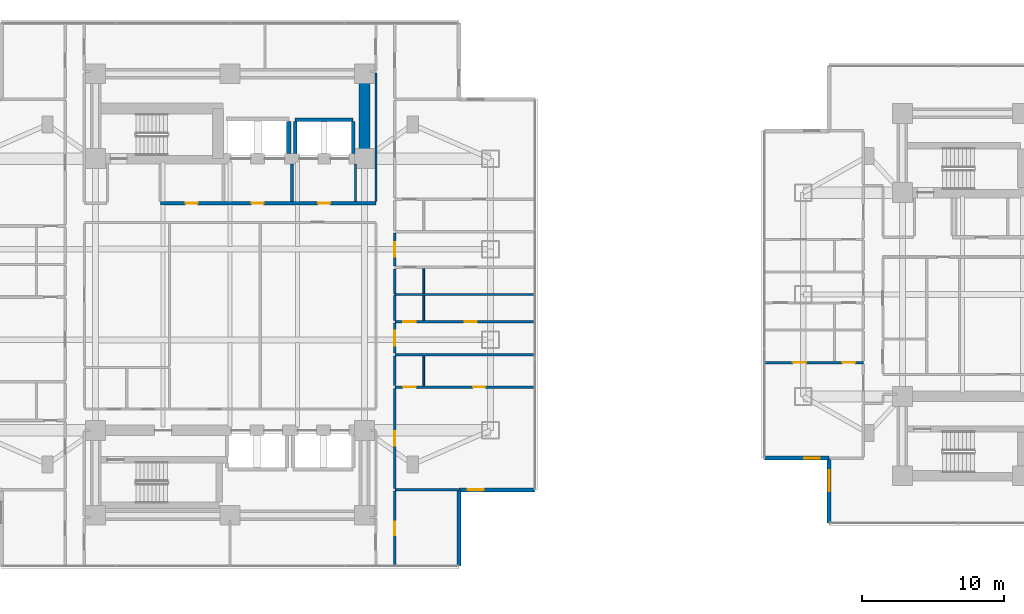
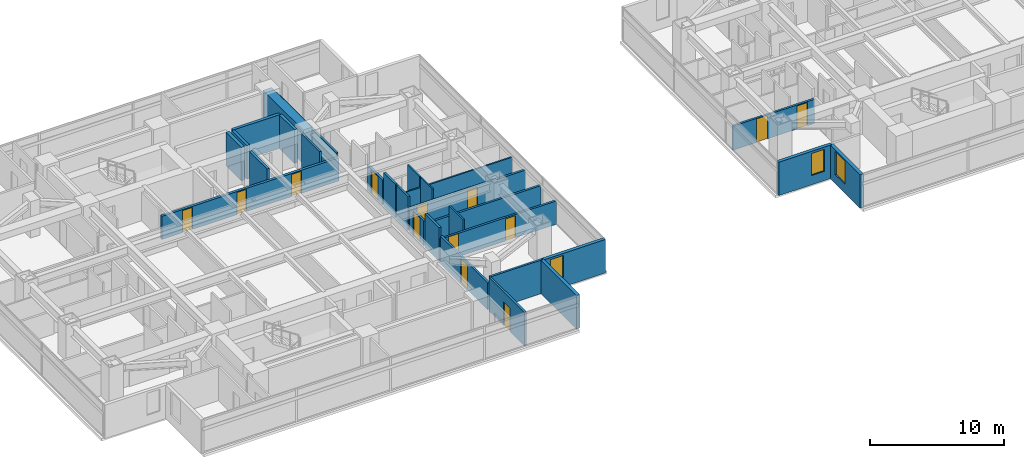
# One storey, part 14 of 23: 29 walls, 13 doors, 3 windows, 16 openings.
"""IFC4 building model written with IfcOpenShell, lengths in metres."""

from ifc_helpers import new_model, si_unit, direction, frame, frame_2d, origin, place, context, subcontext, project, spatial, rectangle, extrude, material, layer, layer_set, type_object, element, fill, save


model = new_model("IFC4")

# Units and contexts
model_context = context("Model", 3, precision=1e-05, world=origin(), true_north=direction((0.0, 1.0)))
body_context = subcontext(model_context, "Body", "Model", "MODEL_VIEW")
ifc_project = project(units=[si_unit("LENGTHUNIT", "METRE"), si_unit("AREAUNIT", "SQUARE_METRE"), si_unit("VOLUMEUNIT", "CUBIC_METRE"), si_unit("PLANEANGLEUNIT", "RADIAN"), si_unit("MASSUNIT", "GRAM", prefix="KILO")], contexts=[model_context])

# Site, building, storey
site_placement = place(None, origin())
site = spatial("IfcSite", under=ifc_project, at=site_placement, CompositionType="ELEMENT")
building_placement = place(site_placement, origin())
building = spatial("IfcBuilding", under=site, at=building_placement, Name="Mirazonda Arch Towers", CompositionType="ELEMENT")
storey_placement = place(building_placement, frame((0.0, 0.0, 29.0)))
storey = spatial("IfcBuildingStorey", under=building, at=storey_placement, Name="L07", CompositionType="ELEMENT", Elevation=29.0)

# Wall
ifc_material_1 = material(Name="Concrete C60/75", Category="concrete")
ifc_layer_1 = layer(ifc_material_1, 0.75, Name="WALL-CORE-750")
ifc_layer_set_1 = layer_set([ifc_layer_1], Name="Concrete C60/75")
wall_type_1 = type_object("IfcWallType", Name="WALL-CORE-750", PredefinedType="SHEAR", material=ifc_layer_set_1)
wall_1_placement = place(storey_placement, frame((30.0, 37.60009765625, 0.0), z_axis=(0.0, 0.0, 1.0), x_axis=(0.0, 1.0, 0.0)))
element("IfcWall", 1, at=wall_1_placement, inside=storey, type_object=wall_type_1, Name="L07 T1N-E Core Shear Wall", PredefinedType="SHEAR", context=body_context, shape_type="SweptSolid", body=[
    extrude(rectangle(XDim=6.0, YDim=0.75, at=frame_2d((3.0, 0.0))), origin(), (0.0, 0.0, 1.0), 3.06005859375),
])

# Wall, opening, window
ifc_material_2 = material(Name="Precast Concrete C40/50", Category="concrete")
ifc_layer_2 = layer(ifc_material_2, 0.280029296875, Name="WALL-EXT-WALL-280")
ifc_layer_set_2 = layer_set([ifc_layer_2], Name="Precast Concrete C40/50")
wall_type_2 = type_object("IfcWallType", Name="WALL-EXT-WALL-280", PredefinedType="SOLIDWALL", material=ifc_layer_set_2)
wall_2_placement = place(storey_placement, frame((36.659912109375, 14.2041015625, 0.0), z_axis=(0.0, 0.0, 1.0), x_axis=(1.0, 0.0, 0.0)))
wall_2 = element("IfcWall", 2, at=wall_2_placement, inside=storey, type_object=wall_type_2, Name="L07 T1 Corner Notch Return Wall WL-L07-T1-CSE1", PredefinedType="SOLIDWALL", context=body_context, shape_type="SweptSolid", body=[
    extrude(rectangle(XDim=5.380126953125, YDim=0.280029296875, at=frame_2d((2.68994140625, 0.0))), origin(), (0.0, 0.0, 1.0), 3.0400390625),
])
opening_1_placement = place(wall_2_placement, frame((0.64990234375, 0.0, 0.85009765625)))
opening_1 = element("IfcOpeningElement", 3, at=opening_1_placement, cuts=wall_2, Name="Opening WN-108", PredefinedType="OPENING", context=body_context, shape_type="SweptSolid", body=[
    extrude(rectangle(XDim=1.10009765625, YDim=2.0, at=frame_2d((0.550048828125, 1.0))), frame((0.0, 0.14990234375, 0.0), z_axis=(0.0, -1.0, 0.0), x_axis=(1.0, 0.0, 0.0)), (0.0, 0.0, 1.0), 0.300048828125),
])
ifc_material_3 = material(Name="Insulated Low-E Solar Glass", Category="glass")
window_type_1 = type_object("IfcWindowType", Name="WIN-NOTCH-1100x2000", PartitioningType="SINGLE_PANEL", PredefinedType="WINDOW", material=ifc_material_3)
window_1_placement = place(opening_1_placement, origin())
window_1 = element("IfcWindow", 4, at=window_1_placement, inside=storey, type_object=window_type_1, Name="L07 Punched Facade Window WN-L07-T1-CSE1", OverallHeight=2.0, OverallWidth=1.10009765625, PartitioningType="SINGLE_PANEL", PredefinedType="WINDOW", context=body_context, shape_type="SweptSolid", body=[
    extrude(rectangle(XDim=1.10009765625, YDim=2.0, at=frame_2d((0.550048828125, 1.0))), frame((0.0, 0.030029296875, 0.0), z_axis=(0.0, -1.0, 0.0), x_axis=(1.0, 0.0, 0.0)), (0.0, 0.0, 1.0), 0.06005859375),
])
fill(opening_1, window_1)

# Wall
wall_3_placement = place(storey_placement, frame((36.659912109375, 8.823974609375, 0.0), z_axis=(0.0, 0.0, 1.0), x_axis=(0.0, 1.0, 0.0)))
element("IfcWall", 5, at=wall_3_placement, inside=storey, type_object=wall_type_2, Name="L07 T1 Corner Notch Return Wall WL-L07-T1-CSE2", PredefinedType="SOLIDWALL", context=body_context, shape_type="SweptSolid", body=[
    extrude(rectangle(XDim=5.380126953125, YDim=0.280029296875, at=frame_2d((2.68994140625, 0.0))), origin(), (0.0, 0.0, 1.0), 3.0400390625),
])

# Wall, opening, window
wall_4_placement = place(storey_placement, frame((62.823974609375, 16.433349609375, 0.0), z_axis=(0.0, 0.0, 1.0), x_axis=(0.0, -1.0, 0.0)))
wall_4 = element("IfcWall", 6, at=wall_4_placement, inside=storey, type_object=wall_type_2, Name="L07 T2 Notched SW Corner Wall WL-L07-T2-CSW", PredefinedType="SOLIDWALL", context=body_context, shape_type="SweptSolid", body=[
    extrude(rectangle(XDim=4.579833984375, YDim=0.280029296875, at=frame_2d((2.2900390625, 0.0))), origin(), (0.0, 0.0, 1.0), 3.0400390625),
])
opening_2_placement = place(wall_4_placement, frame((0.85009765625, 0.0, 0.7900390625)))
opening_2 = element("IfcOpeningElement", 7, at=opening_2_placement, cuts=wall_4, Name="Opening WN-120", PredefinedType="OPENING", context=body_context, shape_type="SweptSolid", body=[
    extrude(rectangle(XDim=1.5, YDim=2.10009765625, at=frame_2d((0.75, 1.050048828125))), frame((0.0, 0.14990234375, 0.0), z_axis=(0.0, -1.0, 0.0), x_axis=(1.0, 0.0, 0.0)), (0.0, 0.0, 1.0), 0.300048828125),
])
window_type_2 = type_object("IfcWindowType", Name="WIN-HTL-1500x2100", PartitioningType="SINGLE_PANEL", PredefinedType="WINDOW", material=ifc_material_3)
window_2_placement = place(opening_2_placement, origin())
window_2 = element("IfcWindow", 8, at=window_2_placement, inside=storey, type_object=window_type_2, Name="L07 Punched Facade Window WN-L07-T2-CSW", OverallHeight=2.10009765625, OverallWidth=1.5, PartitioningType="SINGLE_PANEL", PredefinedType="WINDOW", context=body_context, shape_type="SweptSolid", body=[
    extrude(rectangle(XDim=1.5, YDim=2.10009765625, at=frame_2d((0.75, 1.050048828125))), frame((0.0, 0.030029296875, 0.0), z_axis=(0.0, -1.0, 0.0), x_axis=(1.0, 0.0, 0.0)), (0.0, 0.0, 1.0), 0.06005859375),
])
fill(opening_2, window_2)

wall_5_placement = place(storey_placement, frame((58.243896484375, 16.433349609375, 0.0), z_axis=(0.0, 0.0, 1.0), x_axis=(1.0, 0.0, 0.0)))
wall_5 = element("IfcWall", 9, at=wall_5_placement, inside=storey, type_object=wall_type_2, Name="L07 T2 Corner Notch Return Wall WL-L07-T2-CSW2", PredefinedType="SOLIDWALL", context=body_context, shape_type="SweptSolid", body=[
    extrude(rectangle(XDim=4.580078125, YDim=0.280029296875, at=frame_2d((2.2900390625, 0.0))), origin(), (0.0, 0.0, 1.0), 3.0400390625),
])
opening_3_placement = place(wall_5_placement, frame((2.830078125, 0.0, 0.85009765625)))
opening_3 = element("IfcOpeningElement", 10, at=opening_3_placement, cuts=wall_5, Name="Opening WN-108", PredefinedType="OPENING", context=body_context, shape_type="SweptSolid", body=[
    extrude(rectangle(XDim=1.10009765625, YDim=2.0, at=frame_2d((0.550048828125, 1.0))), frame((0.0, 0.14990234375, 0.0), z_axis=(0.0, -1.0, 0.0), x_axis=(1.0, 0.0, 0.0)), (0.0, 0.0, 1.0), 0.300048828125),
])
window_3_placement = place(opening_3_placement, origin())
window_3 = element("IfcWindow", 11, at=window_3_placement, inside=storey, type_object=window_type_1, Name="L07 Punched Facade Window WN-L07-T2-CSW2", OverallHeight=2.0, OverallWidth=1.10009765625, PartitioningType="SINGLE_PANEL", PredefinedType="WINDOW", context=body_context, shape_type="SweptSolid", body=[
    extrude(rectangle(XDim=1.10009765625, YDim=2.0, at=frame_2d((0.550048828125, 1.0))), frame((0.0, 0.030029296875, 0.0), z_axis=(0.0, -1.0, 0.0), x_axis=(1.0, 0.0, 0.0)), (0.0, 0.0, 1.0), 0.06005859375),
])
fill(opening_3, window_3)

# Wall, openings, doors
ifc_material_4 = material(Name="Concrete C40/50", Category="concrete")
ifc_layer_3 = layer(ifc_material_4, 0.219970703125, Name="WALL-FFL-220")
ifc_layer_set_3 = layer_set([ifc_layer_3], Name="Concrete C40/50")
wall_type_3 = type_object("IfcWallType", Name="WALL-FFL-220", PredefinedType="SOLIDWALL", material=ifc_layer_set_3)
wall_6_placement = place(storey_placement, frame((15.590087890625, 34.449951171875, 0.0), z_axis=(0.0, 0.0, 1.0), x_axis=(1.0, 0.0, 0.0)))
wall_6 = element("IfcWall", 12, at=wall_6_placement, inside=storey, type_object=wall_type_3, Name="L07 Interior Partition 047", PredefinedType="SOLIDWALL", context=body_context, shape_type="SweptSolid", body=[
    extrude(rectangle(XDim=15.2099609375, YDim=0.219970703125, at=frame_2d((7.60498046875, 0.0))), origin(), (0.0, 0.0, 1.0), 2.10400390625),
])
opening_4_placement = place(wall_6_placement, frame((6.43505859375, 0.0, 0.0)))
opening_4 = element("IfcOpeningElement", 13, at=opening_4_placement, cuts=wall_6, Name="Opening DR-128", PredefinedType="OPENING", context=body_context, shape_type="SweptSolid", body=[
    extrude(rectangle(XDim=0.85009765625, YDim=2.010009765625, at=frame_2d((0.425048828125, 1.0048828125))), frame((0.0, 0.119873046875, 0.0), z_axis=(0.0, -1.0, 0.0), x_axis=(1.0, 0.0, 0.0)), (0.0, 0.0, 1.0), 0.239990234375),
])
opening_5_placement = place(wall_6_placement, frame((11.135009765625, 0.0, 0.0)))
opening_5 = element("IfcOpeningElement", 14, at=opening_5_placement, cuts=wall_6, Name="Opening DR-128", PredefinedType="OPENING", context=body_context, shape_type="SweptSolid", body=[
    extrude(rectangle(XDim=0.85009765625, YDim=2.010009765625, at=frame_2d((0.425048828125, 1.0048828125))), frame((0.0, 0.119873046875, 0.0), z_axis=(0.0, -1.0, 0.0), x_axis=(1.0, 0.0, 0.0)), (0.0, 0.0, 1.0), 0.239990234375),
])
opening_6_placement = place(wall_6_placement, frame((1.77490234375, 0.0, 0.0)))
opening_6 = element("IfcOpeningElement", 15, at=opening_6_placement, cuts=wall_6, Name="Opening DR-128", PredefinedType="OPENING", context=body_context, shape_type="SweptSolid", body=[
    extrude(rectangle(XDim=0.85009765625, YDim=2.010009765625, at=frame_2d((0.425048828125, 1.0048828125))), frame((0.0, 0.119873046875, 0.0), z_axis=(0.0, -1.0, 0.0), x_axis=(1.0, 0.0, 0.0)), (0.0, 0.0, 1.0), 0.239990234375),
])
ifc_material_5 = material(Name="Architectural Brushed Steel S355", Category="steel")
door_type_1 = type_object("IfcDoorType", Name="DOOR-RISER-FD60-850", OperationType="NOTDEFINED", PredefinedType="DOOR", material=ifc_material_5)
door_1_placement = place(opening_4_placement, origin())
door_1 = element("IfcDoor", 16, at=door_1_placement, inside=storey, type_object=door_type_1, Name="L07 Firefighting Lift Lobby Door", OperationType="SINGLE_SWING_LEFT", OverallHeight=2.010009765625, OverallWidth=0.85009765625, PredefinedType="DOOR", context=body_context, shape_type="SweptSolid", body=[
    extrude(rectangle(XDim=0.85009765625, YDim=2.010009765625, at=frame_2d((0.425048828125, 1.0048828125))), frame((0.0, 0.02490234375, 0.0), z_axis=(0.0, -1.0, 0.0), x_axis=(1.0, 0.0, 0.0)), (0.0, 0.0, 1.0), 0.050048828125),
])
fill(opening_4, door_1)
door_2_placement = place(opening_5_placement, origin())
door_2 = element("IfcDoor", 17, at=door_2_placement, inside=storey, type_object=door_type_1, Name="L07 Passenger Lift Lobby North Door", OperationType="SINGLE_SWING_RIGHT", OverallHeight=2.010009765625, OverallWidth=0.85009765625, PredefinedType="DOOR", context=body_context, shape_type="SweptSolid", body=[
    extrude(rectangle(XDim=0.85009765625, YDim=2.010009765625, at=frame_2d((0.425048828125, 1.0048828125))), frame((0.0, 0.02490234375, 0.0), z_axis=(0.0, -1.0, 0.0), x_axis=(1.0, 0.0, 0.0)), (0.0, 0.0, 1.0), 0.050048828125),
])
fill(opening_5, door_2)
door_3_placement = place(opening_6_placement, origin())
door_3 = element("IfcDoor", 18, at=door_3_placement, inside=storey, type_object=door_type_1, Name="L07 Housekeeping Linen Room Door", OperationType="SINGLE_SWING_LEFT", OverallHeight=2.010009765625, OverallWidth=0.85009765625, PredefinedType="DOOR", context=body_context, shape_type="SweptSolid", body=[
    extrude(rectangle(XDim=0.85009765625, YDim=2.010009765625, at=frame_2d((0.425048828125, 1.0048828125))), frame((0.0, 0.02490234375, 0.0), z_axis=(0.0, -1.0, 0.0), x_axis=(1.0, 0.0, 0.0)), (0.0, 0.0, 1.0), 0.050048828125),
])
fill(opening_6, door_3)

# Walls
wall_7_placement = place(storey_placement, frame((24.875, 34.570068359375, 0.0), z_axis=(0.0, 0.0, 1.0), x_axis=(0.0, 1.0, 0.0)))
element("IfcWall", 19, at=wall_7_placement, inside=storey, type_object=wall_type_3, Name="L07 Interior Partition 095", PredefinedType="SOLIDWALL", context=body_context, shape_type="SweptSolid", body=[
    extrude(rectangle(XDim=2.659912109375, YDim=0.219970703125, at=frame_2d((1.330078125, 0.0))), origin(), (0.0, 0.0, 1.0), 3.06005859375),
])
ifc_material_6 = material(Name="Fire-Rated Gypsum Stud Partition")
ifc_layer_4 = layer(ifc_material_6, 0.14990234375, Name="WALL-PART-CORR-150")
ifc_layer_set_4 = layer_set([ifc_layer_4], Name="Fire-Rated Gypsum Stud Partition")
wall_type_4 = type_object("IfcWallType", Name="WALL-PART-CORR-150", PredefinedType="PARTITIONING", material=ifc_layer_set_4)
wall_8_placement = place(storey_placement, frame((29.35009765625, 34.570068359375, 0.0), z_axis=(0.0, 0.0, 1.0), x_axis=(0.0, 1.0, 0.0)))
element("IfcWall", 20, at=wall_8_placement, inside=storey, type_object=wall_type_4, Name="L07 Interior Partition 098", PredefinedType="PARTITIONING", context=body_context, shape_type="SweptSolid", body=[
    extrude(rectangle(XDim=2.659912109375, YDim=0.14990234375, at=frame_2d((1.330078125, 0.0))), origin(), (0.0, 0.0, 1.0), 3.06005859375),
])
wall_9_placement = place(storey_placement, frame((30.800048828125, 34.570068359375, 0.0), z_axis=(0.0, 0.0, 1.0), x_axis=(0.0, 1.0, 0.0)))
element("IfcWall", 21, at=wall_9_placement, inside=storey, type_object=wall_type_4, Name="L07 Interior Partition 103", PredefinedType="PARTITIONING", context=body_context, shape_type="SweptSolid", body=[
    extrude(rectangle(XDim=9.094970703125, YDim=0.14990234375, at=frame_2d((4.54736328125, 0.0))), origin(), (0.0, 0.0, 1.0), 2.43603515625),
])
ifc_material_7 = material(Name="Fire-Rated Gypsum Twin-Stud Assembly")
ifc_layer_5 = layer(ifc_material_7, 0.179931640625, Name="WALL-PART-DEMISE-180")
ifc_layer_set_5 = layer_set([ifc_layer_5], Name="Fire-Rated Gypsum Twin-Stud Assembly")
wall_type_5 = type_object("IfcWallType", Name="WALL-PART-DEMISE-180", PredefinedType="PARTITIONING", material=ifc_layer_set_5)
wall_10_placement = place(storey_placement, frame((32.139892578125, 14.2041015625, 0.0), z_axis=(0.0, 0.0, 1.0), x_axis=(1.0, 0.0, 0.0)))
element("IfcWall", 22, at=wall_10_placement, inside=storey, type_object=wall_type_5, Name="L07 Interior Partition 005", PredefinedType="PARTITIONING", context=body_context, shape_type="SweptSolid", body=[
    extrude(rectangle(XDim=4.5, YDim=0.179931640625, at=frame_2d((2.25, 0.0))), origin(), (0.0, 0.0, 1.0), 3.06005859375),
])

# Wall, openings, doors
wall_11_placement = place(storey_placement, frame((32.139892578125, 21.4560546875, 0.0), z_axis=(0.0, 0.0, 1.0), x_axis=(1.0, 0.0, 0.0)))
wall_11 = element("IfcWall", 23, at=wall_11_placement, inside=storey, type_object=wall_type_5, Name="L07 Interior Partition 021", PredefinedType="PARTITIONING", context=body_context, shape_type="SweptSolid", body=[
    extrude(rectangle(XDim=9.900146484375, YDim=0.179931640625, at=frame_2d((4.9501953125, 0.0))), origin(), (0.0, 0.0, 1.0), 2.125),
])
opening_7_placement = place(wall_11_placement, frame((5.52490234375, 0.0, 0.0)))
opening_7 = element("IfcOpeningElement", 24, at=opening_7_placement, cuts=wall_11, Name="Opening DR-128", PredefinedType="OPENING", context=body_context, shape_type="SweptSolid", body=[
    extrude(rectangle(XDim=0.85009765625, YDim=2.010009765625, at=frame_2d((0.425048828125, 1.0048828125))), frame((0.0, 0.099853515625, 0.0), z_axis=(0.0, -1.0, 0.0), x_axis=(1.0, 0.0, 0.0)), (0.0, 0.0, 1.0), 0.199951171875),
])
opening_8_placement = place(wall_11_placement, frame((0.590087890625, 0.0, 0.0)))
opening_8 = element("IfcOpeningElement", 25, at=opening_8_placement, cuts=wall_11, Name="Opening DR-120", PredefinedType="OPENING", context=body_context, shape_type="SweptSolid", body=[
    extrude(rectangle(XDim=0.89990234375, YDim=2.10009765625, at=frame_2d((0.449951171875, 1.050048828125))), frame((0.0, 0.099853515625, 0.0), z_axis=(0.0, -1.0, 0.0), x_axis=(1.0, 0.0, 0.0)), (0.0, 0.0, 1.0), 0.199951171875),
])
door_4_placement = place(opening_7_placement, origin())
door_4 = element("IfcDoor", 26, at=door_4_placement, inside=storey, type_object=door_type_1, Name="L07 Suite Bedroom 1 Door", OperationType="SINGLE_SWING_LEFT", OverallHeight=2.010009765625, OverallWidth=0.85009765625, PredefinedType="DOOR", context=body_context, shape_type="SweptSolid", body=[
    extrude(rectangle(XDim=0.85009765625, YDim=2.010009765625, at=frame_2d((0.425048828125, 1.0048828125))), frame((0.0, 0.02490234375, 0.0), z_axis=(0.0, -1.0, 0.0), x_axis=(1.0, 0.0, 0.0)), (0.0, 0.0, 1.0), 0.050048828125),
])
fill(opening_7, door_4)
door_type_2 = type_object("IfcDoorType", Name="DOOR-WC-900", OperationType="NOTDEFINED", PredefinedType="DOOR", material=ifc_material_5)
door_5_placement = place(opening_8_placement, origin())
door_5 = element("IfcDoor", 27, at=door_5_placement, inside=storey, type_object=door_type_2, Name="L07 Suite En-Suite Bathroom 1 Door", OperationType="SINGLE_SWING_RIGHT", OverallHeight=2.10009765625, OverallWidth=0.89990234375, PredefinedType="DOOR", context=body_context, shape_type="SweptSolid", body=[
    extrude(rectangle(XDim=0.89990234375, YDim=2.10009765625, at=frame_2d((0.449951171875, 1.050048828125))), frame((0.0, 0.02490234375, 0.0), z_axis=(0.0, -1.0, 0.0), x_axis=(1.0, 0.0, 0.0)), (0.0, 0.0, 1.0), 0.050048828125),
])
fill(opening_8, door_5)

wall_12_placement = place(storey_placement, frame((58.243896484375, 23.19189453125, 0.0), z_axis=(0.0, 0.0, 1.0), x_axis=(1.0, 0.0, 0.0)))
wall_12 = element("IfcWall", 28, at=wall_12_placement, inside=storey, type_object=wall_type_5, Name="L07 Interior Partition 025", PredefinedType="PARTITIONING", context=body_context, shape_type="SweptSolid", body=[
    extrude(rectangle(XDim=7.006103515625, YDim=0.179931640625, at=frame_2d((3.5029296875, 0.0))), origin(), (0.0, 0.0, 1.0), 2.196044921875),
])
opening_9_placement = place(wall_12_placement, frame((2.028076171875, 0.0, 0.0)))
opening_9 = element("IfcOpeningElement", 29, at=opening_9_placement, cuts=wall_12, Name="Opening DR-104", PredefinedType="OPENING", context=body_context, shape_type="SweptSolid", body=[
    extrude(rectangle(XDim=0.949951171875, YDim=2.14990234375, at=frame_2d((0.47509765625, 1.074951171875))), frame((0.0, 0.099853515625, 0.0), z_axis=(0.0, -1.0, 0.0), x_axis=(1.0, 0.0, 0.0)), (0.0, 0.0, 1.0), 0.199951171875),
])
opening_10_placement = place(wall_12_placement, frame((5.51611328125, 0.0, 0.0)))
opening_10 = element("IfcOpeningElement", 30, at=opening_10_placement, cuts=wall_12, Name="Opening DR-120", PredefinedType="OPENING", context=body_context, shape_type="SweptSolid", body=[
    extrude(rectangle(XDim=0.89990234375, YDim=2.10009765625, at=frame_2d((0.449951171875, 1.050048828125))), frame((0.0, 0.099853515625, 0.0), z_axis=(0.0, -1.0, 0.0), x_axis=(1.0, 0.0, 0.0)), (0.0, 0.0, 1.0), 0.199951171875),
])
door_type_3 = type_object("IfcDoorType", Name="DOOR-ROOM-950", OperationType="NOTDEFINED", PredefinedType="DOOR", material=ifc_material_5)
door_6_placement = place(opening_9_placement, origin())
door_6 = element("IfcDoor", 31, at=door_6_placement, inside=storey, type_object=door_type_3, Name="L07 Guestroom Study 1 Door", OperationType="SINGLE_SWING_LEFT", OverallHeight=2.14990234375, OverallWidth=0.949951171875, PredefinedType="DOOR", context=body_context, shape_type="SweptSolid", body=[
    extrude(rectangle(XDim=0.949951171875, YDim=2.14990234375, at=frame_2d((0.47509765625, 1.074951171875))), frame((0.0, 0.02490234375, 0.0), z_axis=(0.0, -1.0, 0.0), x_axis=(1.0, 0.0, 0.0)), (0.0, 0.0, 1.0), 0.050048828125),
])
fill(opening_9, door_6)
door_7_placement = place(opening_10_placement, origin())
door_7 = element("IfcDoor", 32, at=door_7_placement, inside=storey, type_object=door_type_2, Name="L07 En-Suite Bathroom 1 Door", OperationType="SINGLE_SWING_RIGHT", OverallHeight=2.10009765625, OverallWidth=0.89990234375, PredefinedType="DOOR", context=body_context, shape_type="SweptSolid", body=[
    extrude(rectangle(XDim=0.89990234375, YDim=2.10009765625, at=frame_2d((0.449951171875, 1.050048828125))), frame((0.0, 0.02490234375, 0.0), z_axis=(0.0, -1.0, 0.0), x_axis=(1.0, 0.0, 0.0)), (0.0, 0.0, 1.0), 0.050048828125),
])
fill(opening_10, door_7)

# Wall
wall_13_placement = place(storey_placement, frame((32.139892578125, 23.756103515625, 0.0), z_axis=(0.0, 0.0, 1.0), x_axis=(1.0, 0.0, 0.0)))
element("IfcWall", 33, at=wall_13_placement, inside=storey, type_object=wall_type_5, Name="L07 Interior Partition 026", PredefinedType="PARTITIONING", context=body_context, shape_type="SweptSolid", body=[
    extrude(rectangle(XDim=9.900146484375, YDim=0.179931640625, at=frame_2d((4.9501953125, 0.0))), origin(), (0.0, 0.0, 1.0), 2.125),
])

# Wall, openings, doors
wall_14_placement = place(storey_placement, frame((32.139892578125, 26.080078125, 0.0), z_axis=(0.0, 0.0, 1.0), x_axis=(1.0, 0.0, 0.0)))
wall_14 = element("IfcWall", 34, at=wall_14_placement, inside=storey, type_object=wall_type_5, Name="L07 Interior Partition 030", PredefinedType="PARTITIONING", context=body_context, shape_type="SweptSolid", body=[
    extrude(rectangle(XDim=9.900146484375, YDim=0.179931640625, at=frame_2d((4.9501953125, 0.0))), origin(), (0.0, 0.0, 1.0), 2.125),
])
opening_11_placement = place(wall_14_placement, frame((4.925048828125, 0.0, 0.0)))
opening_11 = element("IfcOpeningElement", 35, at=opening_11_placement, cuts=wall_14, Name="Opening DR-128", PredefinedType="OPENING", context=body_context, shape_type="SweptSolid", body=[
    extrude(rectangle(XDim=0.85009765625, YDim=2.010009765625, at=frame_2d((0.425048828125, 1.0048828125))), frame((0.0, 0.099853515625, 0.0), z_axis=(0.0, -1.0, 0.0), x_axis=(1.0, 0.0, 0.0)), (0.0, 0.0, 1.0), 0.199951171875),
])
opening_12_placement = place(wall_14_placement, frame((0.590087890625, 0.0, 0.0)))
opening_12 = element("IfcOpeningElement", 36, at=opening_12_placement, cuts=wall_14, Name="Opening DR-120", PredefinedType="OPENING", context=body_context, shape_type="SweptSolid", body=[
    extrude(rectangle(XDim=0.89990234375, YDim=2.10009765625, at=frame_2d((0.449951171875, 1.050048828125))), frame((0.0, 0.099853515625, 0.0), z_axis=(0.0, -1.0, 0.0), x_axis=(1.0, 0.0, 0.0)), (0.0, 0.0, 1.0), 0.199951171875),
])
door_8_placement = place(opening_11_placement, origin())
door_8 = element("IfcDoor", 37, at=door_8_placement, inside=storey, type_object=door_type_1, Name="L07 Guestroom Study 2 Door", OperationType="SINGLE_SWING_RIGHT", OverallHeight=2.010009765625, OverallWidth=0.85009765625, PredefinedType="DOOR", context=body_context, shape_type="SweptSolid", body=[
    extrude(rectangle(XDim=0.85009765625, YDim=2.010009765625, at=frame_2d((0.425048828125, 1.0048828125))), frame((0.0, 0.02490234375, 0.0), z_axis=(0.0, -1.0, 0.0), x_axis=(1.0, 0.0, 0.0)), (0.0, 0.0, 1.0), 0.050048828125),
])
fill(opening_11, door_8)
door_9_placement = place(opening_12_placement, origin())
door_9 = element("IfcDoor", 38, at=door_9_placement, inside=storey, type_object=door_type_2, Name="L07 En-Suite Bathroom 2 Door", OperationType="SINGLE_SWING_LEFT", OverallHeight=2.10009765625, OverallWidth=0.89990234375, PredefinedType="DOOR", context=body_context, shape_type="SweptSolid", body=[
    extrude(rectangle(XDim=0.89990234375, YDim=2.10009765625, at=frame_2d((0.449951171875, 1.050048828125))), frame((0.0, 0.02490234375, 0.0), z_axis=(0.0, -1.0, 0.0), x_axis=(1.0, 0.0, 0.0)), (0.0, 0.0, 1.0), 0.050048828125),
])
fill(opening_12, door_9)

# Wall, opening, door
wall_15_placement = place(storey_placement, frame((32.139892578125, 8.823974609375, 0.0), z_axis=(0.0, 0.0, 1.0), x_axis=(0.0, 1.0, 0.0)))
wall_15 = element("IfcWall", 39, at=wall_15_placement, inside=storey, type_object=wall_type_5, Name="L07 Interior Partition 105", PredefinedType="PARTITIONING", context=body_context, shape_type="SweptSolid", body=[
    extrude(rectangle(XDim=5.280029296875, YDim=0.179931640625, at=frame_2d((2.64013671875, 0.0))), origin(), (0.0, 0.0, 1.0), 3.06005859375),
])
opening_13_placement = place(wall_15_placement, frame((2.1650390625, 0.0, 0.0)))
opening_13 = element("IfcOpeningElement", 40, at=opening_13_placement, cuts=wall_15, Name="Opening DR-104", PredefinedType="OPENING", context=body_context, shape_type="SweptSolid", body=[
    extrude(rectangle(XDim=0.949951171875, YDim=2.14990234375, at=frame_2d((0.47509765625, 1.074951171875))), frame((0.0, 0.099853515625, 0.0), z_axis=(0.0, -1.0, 0.0), x_axis=(1.0, 0.0, 0.0)), (0.0, 0.0, 1.0), 0.199951171875),
])
door_10_placement = place(opening_13_placement, origin())
door_10 = element("IfcDoor", 41, at=door_10_placement, inside=storey, type_object=door_type_3, Name="L07 South Horizon Lounge Alcove East Door", OperationType="SINGLE_SWING_LEFT", OverallHeight=2.14990234375, OverallWidth=0.949951171875, PredefinedType="DOOR", context=body_context, shape_type="SweptSolid", body=[
    extrude(rectangle(XDim=0.949951171875, YDim=2.14990234375, at=frame_2d((0.47509765625, 1.074951171875))), frame((0.0, 0.02490234375, 0.0), z_axis=(0.0, -1.0, 0.0), x_axis=(1.0, 0.0, 0.0)), (0.0, 0.0, 1.0), 0.050048828125),
])
fill(opening_13, door_10)

wall_16_placement = place(storey_placement, frame((32.139892578125, 14.303955078125, 0.0), z_axis=(0.0, 0.0, 1.0), x_axis=(0.0, 1.0, 0.0)))
wall_16 = element("IfcWall", 42, at=wall_16_placement, inside=storey, type_object=wall_type_5, Name="L07 Interior Partition 106", PredefinedType="PARTITIONING", context=body_context, shape_type="SweptSolid", body=[
    extrude(rectangle(XDim=7.052001953125, YDim=0.179931640625, at=frame_2d((3.52587890625, 0.0))), origin(), (0.0, 0.0, 1.0), 2.43603515625),
])
opening_14_placement = place(wall_16_placement, frame((3.0009765625, 0.0, 0.0)))
opening_14 = element("IfcOpeningElement", 43, at=opening_14_placement, cuts=wall_16, Name="Opening DR-121", PredefinedType="OPENING", context=body_context, shape_type="SweptSolid", body=[
    extrude(rectangle(XDim=1.050048828125, YDim=2.199951171875, at=frame_2d((0.52490234375, 1.10009765625))), frame((0.0, 0.099853515625, 0.0), z_axis=(0.0, -1.0, 0.0), x_axis=(1.0, 0.0, 0.0)), (0.0, 0.0, 1.0), 0.199951171875),
])
door_type_4 = type_object("IfcDoorType", Name="DOOR-SUITE-FD60-1050", OperationType="NOTDEFINED", PredefinedType="DOOR", material=ifc_material_5)
door_11_placement = place(opening_14_placement, origin())
door_11 = element("IfcDoor", 44, at=door_11_placement, inside=storey, type_object=door_type_4, Name="L07 Panoramic Suite Salon 1 Door", OperationType="SINGLE_SWING_RIGHT", OverallHeight=2.199951171875, OverallWidth=1.050048828125, PredefinedType="DOOR", context=body_context, shape_type="SweptSolid", body=[
    extrude(rectangle(XDim=1.050048828125, YDim=2.199951171875, at=frame_2d((0.52490234375, 1.10009765625))), frame((0.0, 0.02490234375, 0.0), z_axis=(0.0, -1.0, 0.0), x_axis=(1.0, 0.0, 0.0)), (0.0, 0.0, 1.0), 0.050048828125),
])
fill(opening_14, door_11)

# Wall
wall_17_placement = place(storey_placement, frame((32.139892578125, 21.555908203125, 0.0), z_axis=(0.0, 0.0, 1.0), x_axis=(0.0, 1.0, 0.0)))
element("IfcWall", 45, at=wall_17_placement, inside=storey, type_object=wall_type_5, Name="L07 Interior Partition 107", PredefinedType="PARTITIONING", context=body_context, shape_type="SweptSolid", body=[
    extrude(rectangle(XDim=2.10009765625, YDim=0.179931640625, at=frame_2d((1.050048828125, 0.0))), origin(), (0.0, 0.0, 1.0), 3.06005859375),
])

# Wall, opening, door
wall_18_placement = place(storey_placement, frame((32.139892578125, 23.85595703125, 0.0), z_axis=(0.0, 0.0, 1.0), x_axis=(0.0, 1.0, 0.0)))
wall_18 = element("IfcWall", 46, at=wall_18_placement, inside=storey, type_object=wall_type_5, Name="L07 Interior Partition 108", PredefinedType="PARTITIONING", context=body_context, shape_type="SweptSolid", body=[
    extrude(rectangle(XDim=2.1240234375, YDim=0.179931640625, at=frame_2d((1.06201171875, 0.0))), origin(), (0.0, 0.0, 1.0), 2.279052734375),
])
opening_15_placement = place(wall_18_placement, frame((0.537109375, 0.0, 0.0)))
opening_15 = element("IfcOpeningElement", 47, at=opening_15_placement, cuts=wall_18, Name="Opening DR-121", PredefinedType="OPENING", context=body_context, shape_type="SweptSolid", body=[
    extrude(rectangle(XDim=1.050048828125, YDim=2.199951171875, at=frame_2d((0.52490234375, 1.10009765625))), frame((0.0, 0.099853515625, 0.0), z_axis=(0.0, -1.0, 0.0), x_axis=(1.0, 0.0, 0.0)), (0.0, 0.0, 1.0), 0.199951171875),
])
door_12_placement = place(opening_15_placement, origin())
door_12 = element("IfcDoor", 48, at=door_12_placement, inside=storey, type_object=door_type_4, Name="L07 Twin Hotel Guestroom 2 Door", OperationType="SINGLE_SWING_LEFT", OverallHeight=2.199951171875, OverallWidth=1.050048828125, PredefinedType="DOOR", context=body_context, shape_type="SweptSolid", body=[
    extrude(rectangle(XDim=1.050048828125, YDim=2.199951171875, at=frame_2d((0.52490234375, 1.10009765625))), frame((0.0, 0.02490234375, 0.0), z_axis=(0.0, -1.0, 0.0), x_axis=(1.0, 0.0, 0.0)), (0.0, 0.0, 1.0), 0.050048828125),
])
fill(opening_15, door_12)

# Walls
for number, where, z_axis, x_axis, name in (
    (49, (32.139892578125, 26.179931640625, 0.0), (0.0, 0.0, 1.0), (0.0, 1.0, 0.0), "L07 Interior Partition 109"),
    (50, (32.139892578125, 28.072509765625, 0.0), (0.0, 0.0, 1.0), (0.0, 1.0, 0.0), "L07 Interior Partition 110"),
):
    element("IfcWall", number, at=place(storey_placement, frame(where, z_axis=z_axis, x_axis=x_axis)), inside=storey, type_object=wall_type_5, Name=name, PredefinedType="PARTITIONING", context=body_context, shape_type="SweptSolid", body=[
        extrude(rectangle(XDim=1.74755859375, YDim=0.179931640625, at=frame_2d((0.873779296875, 0.0))), origin(), (0.0, 0.0, 1.0), 3.06005859375),
    ])

# Wall, opening, door
wall_19_placement = place(storey_placement, frame((32.139892578125, 30.02001953125, 0.0), z_axis=(0.0, 0.0, 1.0), x_axis=(0.0, 1.0, 0.0)))
wall_19 = element("IfcWall", 51, at=wall_19_placement, inside=storey, type_object=wall_type_5, Name="L07 Interior Partition 111", PredefinedType="PARTITIONING", context=body_context, shape_type="SweptSolid", body=[
    extrude(rectangle(XDim=2.31689453125, YDim=0.179931640625, at=frame_2d((1.158447265625, 0.0))), origin(), (0.0, 0.0, 1.0), 2.279052734375),
])
opening_16_placement = place(wall_19_placement, frame((0.633544921875, 0.0, 0.0)))
opening_16 = element("IfcOpeningElement", 52, at=opening_16_placement, cuts=wall_19, Name="Opening DR-121", PredefinedType="OPENING", context=body_context, shape_type="SweptSolid", body=[
    extrude(rectangle(XDim=1.050048828125, YDim=2.199951171875, at=frame_2d((0.52490234375, 1.10009765625))), frame((0.0, 0.099853515625, 0.0), z_axis=(0.0, -1.0, 0.0), x_axis=(1.0, 0.0, 0.0)), (0.0, 0.0, 1.0), 0.199951171875),
])
door_13_placement = place(opening_16_placement, origin())
door_13 = element("IfcDoor", 53, at=door_13_placement, inside=storey, type_object=door_type_4, Name="L07 King Hotel Guestroom 3 Door", OperationType="SINGLE_SWING_RIGHT", OverallHeight=2.199951171875, OverallWidth=1.050048828125, PredefinedType="DOOR", context=body_context, shape_type="SweptSolid", body=[
    extrude(rectangle(XDim=1.050048828125, YDim=2.199951171875, at=frame_2d((0.52490234375, 1.10009765625))), frame((0.0, 0.02490234375, 0.0), z_axis=(0.0, -1.0, 0.0), x_axis=(1.0, 0.0, 0.0)), (0.0, 0.0, 1.0), 0.050048828125),
])
fill(opening_16, door_13)

# Walls
ifc_material_8 = material(Name="Acoustic Fire-Rated Gypsum Partition")
ifc_layer_6 = layer(ifc_material_8, 0.125, Name="WALL-PART-UNIT-125")
ifc_layer_set_6 = layer_set([ifc_layer_6], Name="Acoustic Fire-Rated Gypsum Partition")
wall_type_6 = type_object("IfcWallType", Name="WALL-PART-UNIT-125", PredefinedType="PARTITIONING", material=ifc_layer_set_6)
wall_20_placement = place(storey_placement, frame((32.139892578125, 28.0, 0.0), z_axis=(0.0, 0.0, 1.0), x_axis=(1.0, 0.0, 0.0)))
element("IfcWall", 54, at=wall_20_placement, inside=storey, type_object=wall_type_6, Name="L07 Interior Partition 034", PredefinedType="PARTITIONING", context=body_context, shape_type="SweptSolid", body=[
    extrude(rectangle(XDim=9.900146484375, YDim=0.125, at=frame_2d((4.9501953125, 0.0))), origin(), (0.0, 0.0, 1.0), 2.125),
])
wall_21_placement = place(storey_placement, frame((34.179931640625, 21.555908203125, 0.0), z_axis=(0.0, 0.0, 1.0), x_axis=(0.0, 1.0, 0.0)))
element("IfcWall", 55, at=wall_21_placement, inside=storey, type_object=wall_type_6, Name="L07 Interior Partition 115", PredefinedType="PARTITIONING", context=body_context, shape_type="SweptSolid", body=[
    extrude(rectangle(XDim=2.10009765625, YDim=0.125, at=frame_2d((1.050048828125, 0.0))), origin(), (0.0, 0.0, 1.0), 3.06005859375),
])
for number, where, z_axis, x_axis, name in (
    (56, (34.179931640625, 26.179931640625, 0.0), (0.0, 0.0, 1.0), (0.0, 1.0, 0.0), "L07 Interior Partition 116"),
    (57, (34.179931640625, 28.072509765625, 0.0), (0.0, 0.0, 1.0), (0.0, 1.0, 0.0), "L07 Interior Partition 117"),
):
    element("IfcWall", number, at=place(storey_placement, frame(where, z_axis=z_axis, x_axis=x_axis)), inside=storey, type_object=wall_type_6, Name=name, PredefinedType="PARTITIONING", context=body_context, shape_type="SweptSolid", body=[
        extrude(rectangle(XDim=1.74755859375, YDim=0.125, at=frame_2d((0.873779296875, 0.0))), origin(), (0.0, 0.0, 1.0), 3.06005859375),
    ])
ifc_layer_7 = layer(ifc_material_4, 0.25, Name="WALL-SHAFT-250")
ifc_layer_set_7 = layer_set([ifc_layer_7], Name="Concrete C40/50")
wall_type_7 = type_object("IfcWallType", Name="WALL-SHAFT-250", PredefinedType="SOLIDWALL", material=ifc_layer_set_7)
wall_22_placement = place(storey_placement, frame((25.10009765625, 40.35009765625, 0.0), z_axis=(0.0, 0.0, 1.0), x_axis=(1.0, 0.0, 0.0)))
element("IfcWall", 58, at=wall_22_placement, inside=storey, type_object=wall_type_7, Name="L07 Interior Partition 057", PredefinedType="SOLIDWALL", context=body_context, shape_type="SweptSolid", body=[
    extrude(rectangle(XDim=4.099853515625, YDim=0.25, at=frame_2d((2.0498046875, 0.0))), origin(), (0.0, 0.0, 1.0), 3.06005859375),
])
for number, where, z_axis, x_axis, name in (
    (59, (25.10009765625, 37.969970703125, 0.0), (0.0, 0.0, 1.0), (0.0, 1.0, 0.0), "L07 Interior Partition 096"),
    (60, (29.199951171875, 37.969970703125, 0.0), (0.0, 0.0, 1.0), (0.0, 1.0, 0.0), "L07 Interior Partition 099"),
):
    element("IfcWall", number, at=place(storey_placement, frame(where, z_axis=z_axis, x_axis=x_axis)), inside=storey, type_object=wall_type_7, Name=name, PredefinedType="SOLIDWALL", context=body_context, shape_type="SweptSolid", body=[
        extrude(rectangle(XDim=2.2451171875, YDim=0.25, at=frame_2d((1.12255859375, 0.0))), origin(), (0.0, 0.0, 1.0), 3.06005859375),
    ])
ifc_material_9 = material(Name="Concrete C50/60", Category="concrete")
ifc_layer_8 = layer(ifc_material_9, 0.300048828125, Name="WALL-SHAFT-300")
ifc_layer_set_8 = layer_set([ifc_layer_8], Name="Concrete C50/60")
wall_type_8 = type_object("IfcWallType", Name="WALL-SHAFT-300", PredefinedType="SOLIDWALL", material=ifc_layer_set_8)
wall_23_placement = place(storey_placement, frame((24.64990234375, 37.969970703125, 0.0), z_axis=(0.0, 0.0, 1.0), x_axis=(0.0, 1.0, 0.0)))
element("IfcWall", 61, at=wall_23_placement, inside=storey, type_object=wall_type_8, Name="L07 Interior Partition 093", PredefinedType="SOLIDWALL", context=body_context, shape_type="SweptSolid", body=[
    extrude(rectangle(XDim=2.27001953125, YDim=0.300048828125, at=frame_2d((1.135009765625, 0.0))), origin(), (0.0, 0.0, 1.0), 3.06005859375),
])

save(model, "model.ifc")
